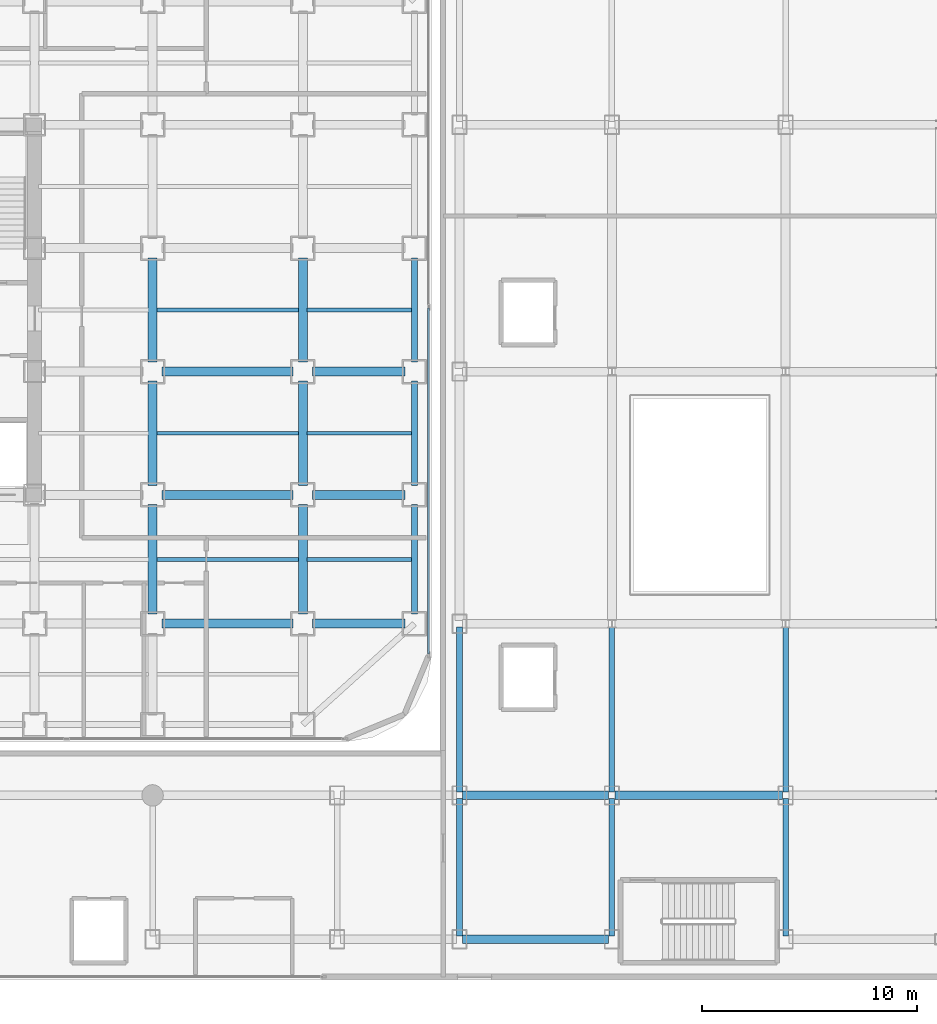
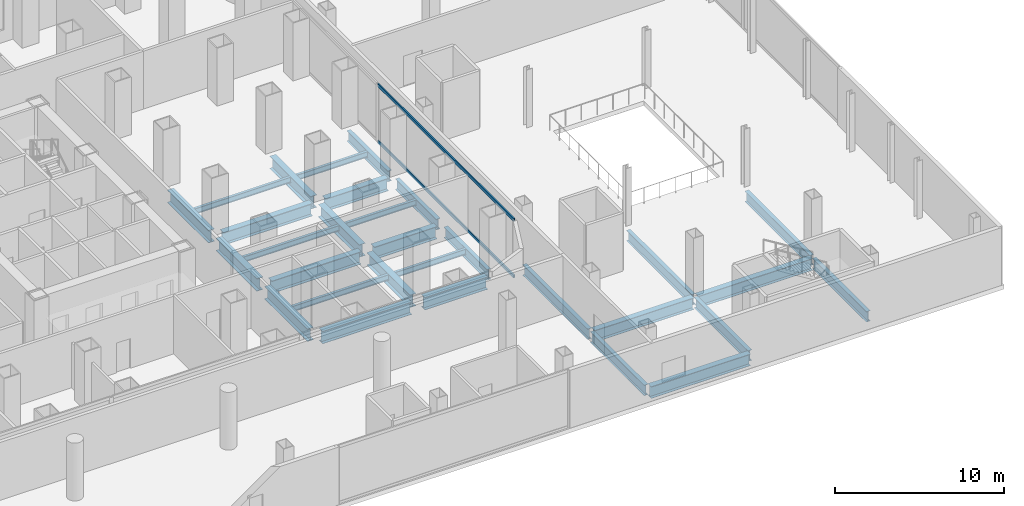
# One storey, part 11 of 27: 30 beams, 2 members, 1 element without a shape of its own.
"""IFC4 building model written with IfcOpenShell, lengths in metres."""

from ifc_helpers import new_model, si_unit, direction, frame, origin, origin_2d, place, context, subcontext, project, spatial, hollow_rectangle, i_section, extrude, source, transform, mapped, material, layer, layer_set, material_profile, profile_set, type_object, element, aggregate, save


model = new_model("IFC4")

# Units and contexts
model_context = context("Model", 3, precision=1e-05, world=origin(), true_north=direction((0.0, 1.0)))
body_context = subcontext(model_context, "Body", "Model", "MODEL_VIEW")
ifc_project = project(units=[si_unit("LENGTHUNIT", "METRE"), si_unit("AREAUNIT", "SQUARE_METRE"), si_unit("VOLUMEUNIT", "CUBIC_METRE"), si_unit("PLANEANGLEUNIT", "RADIAN"), si_unit("MASSUNIT", "GRAM", prefix="KILO")], contexts=[model_context])

# Site, building, storey
site_placement = place(None, origin())
site = spatial("IfcSite", under=ifc_project, at=site_placement, CompositionType="ELEMENT")
building_placement = place(site_placement, origin())
building = spatial("IfcBuilding", under=site, at=building_placement, Name="Kolveth Station Tower", CompositionType="ELEMENT")
storey_placement = place(building_placement, frame((0.0, 0.0, 13.5)))
storey = spatial("IfcBuildingStorey", under=building, at=storey_placement, Name="L03", CompositionType="ELEMENT", Elevation=13.5)

# Beams
ifc_material_1 = material(Name="Steel S355", Category="steel")
ifc_material_profile_1 = material_profile(ifc_material_1, i_section(OverallWidth=0.26904296875, OverallDepth=0.77490234375, WebThickness=0.01708984375, FlangeThickness=0.0283203125, at=origin_2d()), Name="W760x220")
ifc_profile_set_1 = profile_set([ifc_material_profile_1], Name="Steel S355")
beam_type_1 = type_object("IfcBeamType", Name="Beam_SP1", PredefinedType="SPANDREL", material=ifc_profile_set_1)
shared_shape_1 = source(origin(), body_context, "Body", "SweptSolid", [
    extrude(i_section(OverallWidth=0.26904296875, OverallDepth=0.77490234375, WebThickness=0.01708984375, FlangeThickness=0.0283203125, at=origin_2d()), origin(), (0.0, 0.0, 1.0), 5.10009765625),
])
beam_1_placement = place(storey_placement, frame((46.199951171875, 5.949951171875, -0.70751953125), z_axis=(0.0, 1.0, 0.0), x_axis=(-1.0, 0.0, 0.0)))
element("IfcBeam", 1, at=beam_1_placement, inside=storey, type_object=beam_type_1, Name="L03 Perimeter Spandrel BM-L03-PE-1", PredefinedType="SPANDREL", context=body_context, shape_type="MappedRepresentation", body=[
    mapped(shared_shape_1, transform((0.0, 0.0, 0.0), x_axis=(1.0, 0.0, 0.0), y_axis=(0.0, 1.0, 0.0), z_axis=(0.0, 0.0, 1.0), scale=1.0)),
])
shared_shape_2 = source(origin(), body_context, "Body", "SweptSolid", [
    extrude(i_section(OverallWidth=0.26904296875, OverallDepth=0.77490234375, WebThickness=0.01708984375, FlangeThickness=0.0283203125, at=origin_2d()), origin(), (0.0, 0.0, 1.0), 4.85009765625),
])
for number, where, z_axis, x_axis, name in (
    (2, (46.199951171875, 11.949951171875, -0.70751953125), (0.0, 1.0, 0.0), (-1.0, 0.0, 0.0), "L03 Perimeter Spandrel BM-L03-PE-2"),
    (3, (46.199951171875, 17.699951171875, -0.70751953125), (0.0, 1.0, 0.0), (-1.0, 0.0, 0.0), "L03 Perimeter Spandrel BM-L03-PE-3"),
):
    element("IfcBeam", number, at=place(storey_placement, frame(where, z_axis=z_axis, x_axis=x_axis)), inside=storey, type_object=beam_type_1, Name=name, PredefinedType="SPANDREL", context=body_context, shape_type="MappedRepresentation", body=[
        mapped(shared_shape_2, transform((0.0, 0.0, 0.0), x_axis=(1.0, 0.0, 0.0), y_axis=(0.0, 1.0, 0.0), z_axis=(0.0, 0.0, 1.0), scale=1.0)),
    ])
ifc_material_profile_2 = material_profile(ifc_material_1, i_section(OverallWidth=0.41796875, OverallDepth=0.912109375, WebThickness=0.019287109375, FlangeThickness=0.031982421875, at=origin_2d()), Name="W920x342")
ifc_profile_set_2 = profile_set([ifc_material_profile_2], Name="Steel S355")
beam_type_2 = type_object("IfcBeamType", Name="Beam_B1", PredefinedType="BEAM", material=ifc_profile_set_2)
shared_shape_3 = source(origin(), body_context, "Body", "SweptSolid", [
    extrude(i_section(OverallWidth=0.41796875, OverallDepth=0.912109375, WebThickness=0.019287109375, FlangeThickness=0.031982421875, at=origin_2d()), origin(), (0.0, 0.0, 1.0), 4.300048828125),
])
for number, where, z_axis, x_axis, name in (
    (4, (41.449951171875, 5.5, -0.77587890625), (1.0, 0.0, 0.0), (0.0, 1.0, 0.0), "L03 Primary Girder BM-L03-GY55-7"),
    (5, (41.449951171875, 11.5, -0.77587890625), (1.0, 0.0, 0.0), (0.0, 1.0, 0.0), "L03 Primary Girder BM-L03-GY115-7"),
    (6, (41.449951171875, 17.25, -0.77587890625), (1.0, 0.0, 0.0), (0.0, 1.0, 0.0), "L03 Primary Girder BM-L03-GY172-7"),
):
    element("IfcBeam", number, at=place(storey_placement, frame(where, z_axis=z_axis, x_axis=x_axis)), inside=storey, type_object=beam_type_2, Name=name, PredefinedType="BEAM", context=body_context, shape_type="MappedRepresentation", body=[
        mapped(shared_shape_3, transform((0.0, 0.0, 0.0), x_axis=(1.0, 0.0, 0.0), y_axis=(0.0, 1.0, 0.0), z_axis=(0.0, 0.0, 1.0), scale=1.0)),
    ])
shared_shape_4 = source(origin(), body_context, "Body", "SweptSolid", [
    extrude(i_section(OverallWidth=0.41796875, OverallDepth=0.912109375, WebThickness=0.019287109375, FlangeThickness=0.031982421875, at=origin_2d()), origin(), (0.0, 0.0, 1.0), 6.10009765625),
])
for number, where, z_axis, x_axis, name in (
    (7, (34.449951171875, 5.5, -0.77587890625), (1.0, 0.0, 0.0), (0.0, 1.0, 0.0), "L03 Primary Girder BM-L03-GY55-6"),
    (8, (34.449951171875, 11.5, -0.77587890625), (1.0, 0.0, 0.0), (0.0, 1.0, 0.0), "L03 Primary Girder BM-L03-GY115-6"),
    (9, (34.449951171875, 17.25, -0.77587890625), (1.0, 0.0, 0.0), (0.0, 1.0, 0.0), "L03 Primary Girder BM-L03-GY172-6"),
):
    element("IfcBeam", number, at=place(storey_placement, frame(where, z_axis=z_axis, x_axis=x_axis)), inside=storey, type_object=beam_type_2, Name=name, PredefinedType="BEAM", context=body_context, shape_type="MappedRepresentation", body=[
        mapped(shared_shape_4, transform((0.0, 0.0, 0.0), x_axis=(1.0, 0.0, 0.0), y_axis=(0.0, 1.0, 0.0), z_axis=(0.0, 0.0, 1.0), scale=1.0)),
    ])
shared_shape_5 = source(origin(), body_context, "Body", "SweptSolid", [
    extrude(i_section(OverallWidth=0.41796875, OverallDepth=0.912109375, WebThickness=0.019287109375, FlangeThickness=0.031982421875, at=origin_2d()), origin(), (0.0, 0.0, 1.0), 5.10009765625),
])
for number, where, z_axis, x_axis, name in (
    (10, (34.0, 5.949951171875, -0.77587890625), (0.0, 1.0, 0.0), (-1.0, 0.0, 0.0), "L03 Primary Girder BM-L03-GX340-2"),
    (11, (41.0, 5.949951171875, -0.77587890625), (0.0, 1.0, 0.0), (-1.0, 0.0, 0.0), "L03 Primary Girder BM-L03-GX410-2"),
):
    element("IfcBeam", number, at=place(storey_placement, frame(where, z_axis=z_axis, x_axis=x_axis)), inside=storey, type_object=beam_type_2, Name=name, PredefinedType="BEAM", context=body_context, shape_type="MappedRepresentation", body=[
        mapped(shared_shape_5, transform((0.0, 0.0, 0.0), x_axis=(1.0, 0.0, 0.0), y_axis=(0.0, 1.0, 0.0), z_axis=(0.0, 0.0, 1.0), scale=1.0)),
    ])
shared_shape_6 = source(origin(), body_context, "Body", "SweptSolid", [
    extrude(i_section(OverallWidth=0.41796875, OverallDepth=0.912109375, WebThickness=0.019287109375, FlangeThickness=0.031982421875, at=origin_2d()), origin(), (0.0, 0.0, 1.0), 4.85009765625),
])
for number, where, z_axis, x_axis, name in (
    (12, (34.0, 11.949951171875, -0.77587890625), (0.0, 1.0, 0.0), (-1.0, 0.0, 0.0), "L03 Primary Girder BM-L03-GX340-3"),
    (13, (34.0, 17.699951171875, -0.77587890625), (0.0, 1.0, 0.0), (-1.0, 0.0, 0.0), "L03 Primary Girder BM-L03-GX340-4"),
    (14, (41.0, 11.949951171875, -0.77587890625), (0.0, 1.0, 0.0), (-1.0, 0.0, 0.0), "L03 Primary Girder BM-L03-GX410-3"),
    (15, (41.0, 17.699951171875, -0.77587890625), (0.0, 1.0, 0.0), (-1.0, 0.0, 0.0), "L03 Primary Girder BM-L03-GX410-4"),
):
    element("IfcBeam", number, at=place(storey_placement, frame(where, z_axis=z_axis, x_axis=x_axis)), inside=storey, type_object=beam_type_2, Name=name, PredefinedType="BEAM", context=body_context, shape_type="MappedRepresentation", body=[
        mapped(shared_shape_6, transform((0.0, 0.0, 0.0), x_axis=(1.0, 0.0, 0.0), y_axis=(0.0, 1.0, 0.0), z_axis=(0.0, 0.0, 1.0), scale=1.0)),
    ])
ifc_material_profile_3 = material_profile(ifc_material_1, i_section(OverallWidth=0.177978515625, OverallDepth=0.406982421875, WebThickness=0.0078125, FlangeThickness=0.0126953125, at=origin_2d()), Name="W410x60")
ifc_profile_set_3 = profile_set([ifc_material_profile_3], Name="Steel S355")
beam_type_3 = type_object("IfcBeamType", Name="Beam_J1", PredefinedType="JOIST", material=ifc_profile_set_3)
shared_shape_7 = source(origin(), body_context, "Body", "SweptSolid", [
    extrude(i_section(OverallWidth=0.177978515625, OverallDepth=0.406982421875, WebThickness=0.0078125, FlangeThickness=0.0126953125, at=origin_2d()), origin(), (0.0, 0.0, 1.0), 4.872314453125),
])
for number, where, z_axis, x_axis, name in (
    (16, (41.195068359375, 8.5, -0.5234375), (1.0, 0.0, 0.0), (0.0, 1.0, 0.0), "L03 Secondary Joist JST-L03-7-2"),
    (17, (41.195068359375, 14.375, -0.5234375), (1.0, 0.0, 0.0), (0.0, 1.0, 0.0), "L03 Secondary Joist JST-L03-7-3"),
    (18, (41.195068359375, 20.125, -0.5234375), (1.0, 0.0, 0.0), (0.0, 1.0, 0.0), "L03 Secondary Joist JST-L03-7-4"),
):
    element("IfcBeam", number, at=place(storey_placement, frame(where, z_axis=z_axis, x_axis=x_axis)), inside=storey, type_object=beam_type_3, Name=name, PredefinedType="JOIST", context=body_context, shape_type="MappedRepresentation", body=[
        mapped(shared_shape_7, transform((0.0, 0.0, 0.0), x_axis=(1.0, 0.0, 0.0), y_axis=(0.0, 1.0, 0.0), z_axis=(0.0, 0.0, 1.0), scale=1.0)),
    ])
shared_shape_8 = source(origin(), body_context, "Body", "SweptSolid", [
    extrude(i_section(OverallWidth=0.177978515625, OverallDepth=0.406982421875, WebThickness=0.0078125, FlangeThickness=0.0126953125, at=origin_2d()), origin(), (0.0, 0.0, 1.0), 6.60986328125),
])
for number, where, z_axis, x_axis, name in (
    (19, (34.195068359375, 8.5, -0.5234375), (1.0, 0.0, 0.0), (0.0, 1.0, 0.0), "L03 Secondary Joist JST-L03-6-2"),
    (20, (34.195068359375, 14.375, -0.5234375), (1.0, 0.0, 0.0), (0.0, 1.0, 0.0), "L03 Secondary Joist JST-L03-6-3"),
    (21, (34.195068359375, 20.125, -0.5234375), (1.0, 0.0, 0.0), (0.0, 1.0, 0.0), "L03 Secondary Joist JST-L03-6-4"),
):
    element("IfcBeam", number, at=place(storey_placement, frame(where, z_axis=z_axis, x_axis=x_axis)), inside=storey, type_object=beam_type_3, Name=name, PredefinedType="JOIST", context=body_context, shape_type="MappedRepresentation", body=[
        mapped(shared_shape_8, transform((0.0, 0.0, 0.0), x_axis=(1.0, 0.0, 0.0), y_axis=(0.0, 1.0, 0.0), z_axis=(0.0, 0.0, 1.0), scale=1.0)),
    ])
ifc_material_profile_4 = material_profile(ifc_material_1, i_section(OverallWidth=0.40087890625, OverallDepth=0.85107421875, WebThickness=0.01611328125, FlangeThickness=0.025390625, at=origin_2d()), Name="W840x226")
ifc_profile_set_4 = profile_set([ifc_material_profile_4], Name="Steel S355")
beam_type_4 = type_object("IfcBeamType", Name="Beam_B2", PredefinedType="BEAM", material=ifc_profile_set_4)
shared_shape_9 = source(origin(), body_context, "Body", "SweptSolid", [
    extrude(i_section(OverallWidth=0.40087890625, OverallDepth=0.85107421875, WebThickness=0.01611328125, FlangeThickness=0.025390625, at=origin_2d()), origin(), (0.0, 0.0, 1.0), 6.800048828125),
])
for number, where, z_axis, x_axis, name in (
    (22, (48.449951171875, -9.199951171875, -0.74560546875), (1.0, 0.0, 0.0), (0.0, 1.0, 0.0), "L03 Station Portal Girder SBM-L03-EW-1-1"),
    (23, (48.449951171875, -2.5, -0.74560546875), (1.0, 0.0, 0.0), (0.0, 1.0, 0.0), "L03 Station Portal Girder SBM-L03-EW-2-1"),
):
    element("IfcBeam", number, at=place(storey_placement, frame(where, z_axis=z_axis, x_axis=x_axis)), inside=storey, type_object=beam_type_4, Name=name, PredefinedType="BEAM", context=body_context, shape_type="MappedRepresentation", body=[
        mapped(shared_shape_9, transform((0.0, 0.0, 0.0), x_axis=(1.0, 0.0, 0.0), y_axis=(0.0, 1.0, 0.0), z_axis=(0.0, 0.0, 1.0), scale=1.0)),
    ])
shared_shape_10 = source(origin(), body_context, "Body", "SweptSolid", [
    extrude(i_section(OverallWidth=0.40087890625, OverallDepth=0.85107421875, WebThickness=0.01611328125, FlangeThickness=0.025390625, at=origin_2d()), origin(), (0.0, 0.0, 1.0), 7.800048828125),
])
beam_2_placement = place(storey_placement, frame((55.550048828125, -2.5, -0.74560546875), z_axis=(1.0, 0.0, 0.0), x_axis=(0.0, 1.0, 0.0)))
element("IfcBeam", 24, at=beam_2_placement, inside=storey, type_object=beam_type_4, Name="L03 Station Portal Girder SBM-L03-EW-2-2", PredefinedType="BEAM", context=body_context, shape_type="MappedRepresentation", body=[
    mapped(shared_shape_10, transform((0.0, 0.0, 0.0), x_axis=(1.0, 0.0, 0.0), y_axis=(0.0, 1.0, 0.0), z_axis=(0.0, 0.0, 1.0), scale=1.0)),
])
ifc_material_profile_5 = material_profile(ifc_material_1, i_section(OverallWidth=0.26708984375, OverallDepth=0.76611328125, WebThickness=0.014892578125, FlangeThickness=0.023681640625, at=origin_2d()), Name="W760x185")
ifc_profile_set_5 = profile_set([ifc_material_profile_5], Name="Steel S355")
beam_type_5 = type_object("IfcBeamType", Name="Beam_B3", PredefinedType="BEAM", material=ifc_profile_set_5)
shared_shape_11 = source(origin(), body_context, "Body", "SweptSolid", [
    extrude(i_section(OverallWidth=0.26708984375, OverallDepth=0.76611328125, WebThickness=0.014892578125, FlangeThickness=0.023681640625, at=origin_2d()), origin(), (0.0, 0.0, 1.0), 6.400146484375),
])
for number, where, z_axis, x_axis, name in (
    (25, (48.300048828125, -9.050048828125, -0.702880859375), (0.0, 1.0, 0.0), (-1.0, 0.0, 0.0), "L03 Station Spine Girder SBM-L03-NS-1-1"),
    (26, (55.39990234375, -9.050048828125, -0.702880859375), (0.0, 1.0, 0.0), (-1.0, 0.0, 0.0), "L03 Station Spine Girder SBM-L03-NS-2-1"),
    (27, (63.5, -9.050048828125, -0.702880859375), (0.0, 1.0, 0.0), (-1.0, 0.0, 0.0), "L03 Station Spine Girder SBM-L03-NS-3-1"),
):
    element("IfcBeam", number, at=place(storey_placement, frame(where, z_axis=z_axis, x_axis=x_axis)), inside=storey, type_object=beam_type_5, Name=name, PredefinedType="BEAM", context=body_context, shape_type="MappedRepresentation", body=[
        mapped(shared_shape_11, transform((0.0, 0.0, 0.0), x_axis=(1.0, 0.0, 0.0), y_axis=(0.0, 1.0, 0.0), z_axis=(0.0, 0.0, 1.0), scale=1.0)),
    ])
shared_shape_12 = source(origin(), body_context, "Body", "SweptSolid", [
    extrude(i_section(OverallWidth=0.26708984375, OverallDepth=0.76611328125, WebThickness=0.014892578125, FlangeThickness=0.023681640625, at=origin_2d()), origin(), (0.0, 0.0, 1.0), 7.7001953125),
])
for number, where, z_axis, x_axis, name in (
    (28, (48.300048828125, -2.35009765625, -0.702880859375), (0.0, 1.0, 0.0), (-1.0, 0.0, 0.0), "L03 Station Spine Girder SBM-L03-NS-1-2"),
    (29, (55.39990234375, -2.35009765625, -0.702880859375), (0.0, 1.0, 0.0), (-1.0, 0.0, 0.0), "L03 Station Spine Girder SBM-L03-NS-2-2"),
    (30, (63.5, -2.35009765625, -0.702880859375), (0.0, 1.0, 0.0), (-1.0, 0.0, 0.0), "L03 Station Spine Girder SBM-L03-NS-3-2"),
):
    element("IfcBeam", number, at=place(storey_placement, frame(where, z_axis=z_axis, x_axis=x_axis)), inside=storey, type_object=beam_type_5, Name=name, PredefinedType="BEAM", context=body_context, shape_type="MappedRepresentation", body=[
        mapped(shared_shape_12, transform((0.0, 0.0, 0.0), x_axis=(1.0, 0.0, 0.0), y_axis=(0.0, 1.0, 0.0), z_axis=(0.0, 0.0, 1.0), scale=1.0)),
    ])

# Curtain wall, members
ifc_material_2 = material(Name="Black anodized aluminium 6063-T6 and clear station glass", Category="aluminium")
ifc_layer = layer(ifc_material_2, 0.239990234375)
ifc_layer_set = layer_set([ifc_layer], Name="Black anodized aluminium 6063-T6 and clear station glass")
curtain_wall_type = type_object("IfcCurtainWallType", Name="CurtainWall_CW-ST", PredefinedType="NOTDEFINED", material=ifc_layer_set)
curtain_wall_placement = place(storey_placement, origin())
curtain_wall = element("IfcCurtainWall", 31, at=curtain_wall_placement, inside=storey, type_object=curtain_wall_type, Name="L03 Tower Podium East Storefront Curtain Wall", PredefinedType="NOTDEFINED")
ifc_material_3 = material(Name="Black anodized aluminium 6063-T6", Category="aluminium")
ifc_material_profile_6 = material_profile(ifc_material_3, hollow_rectangle(XDim=0.094970703125, YDim=0.219970703125, WallThickness=0.0048828125, at=origin_2d()), Name="ALU-95x220x5")
ifc_profile_set_6 = profile_set([ifc_material_profile_6], Name="Black anodized aluminium 6063-T6")
member_type = type_object("IfcMemberType", Name="Transom_TR-ST", PredefinedType="USERDEFINED", material=ifc_profile_set_6)
shared_shape_13 = source(origin(), body_context, "Body", "SweptSolid", [
    extrude(hollow_rectangle(XDim=0.094970703125, YDim=0.219970703125, WallThickness=0.0048828125, at=origin_2d()), origin(), (0.0, 0.0, 1.0), 16.099853515625),
])
member_1_placement = place(storey_placement, frame((46.860107421875, 4.10009765625, 0.047607421875), z_axis=(0.0, 1.0, 0.0), x_axis=(-1.0, 0.0, 0.0)))
member_1 = element("IfcMember", 32, at=member_1_placement, type_object=member_type, Name="CW-ST transom 1.1", ObjectType="TRANSOM", PredefinedType="USERDEFINED", context=body_context, shape_type="MappedRepresentation", body=[
    mapped(shared_shape_13, transform((0.0, 0.0, 0.0), x_axis=(1.0, 0.0, 0.0), y_axis=(0.0, 1.0, 0.0), z_axis=(0.0, 0.0, 1.0), scale=1.0)),
])
member_2_placement = place(storey_placement, frame((46.860107421875, 4.10009765625, 4.132568359375), z_axis=(0.0, 1.0, 0.0), x_axis=(-1.0, 0.0, 0.0)))
member_2 = element("IfcMember", 33, at=member_2_placement, type_object=member_type, Name="CW-ST transom 1.2", ObjectType="TRANSOM", PredefinedType="USERDEFINED", context=body_context, shape_type="MappedRepresentation", body=[
    mapped(shared_shape_13, transform((0.0, 0.0, 0.0), x_axis=(1.0, 0.0, 0.0), y_axis=(0.0, 1.0, 0.0), z_axis=(0.0, 0.0, 1.0), scale=1.0)),
])
aggregate(curtain_wall, [member_1, member_2])

save(model, "model.ifc")
